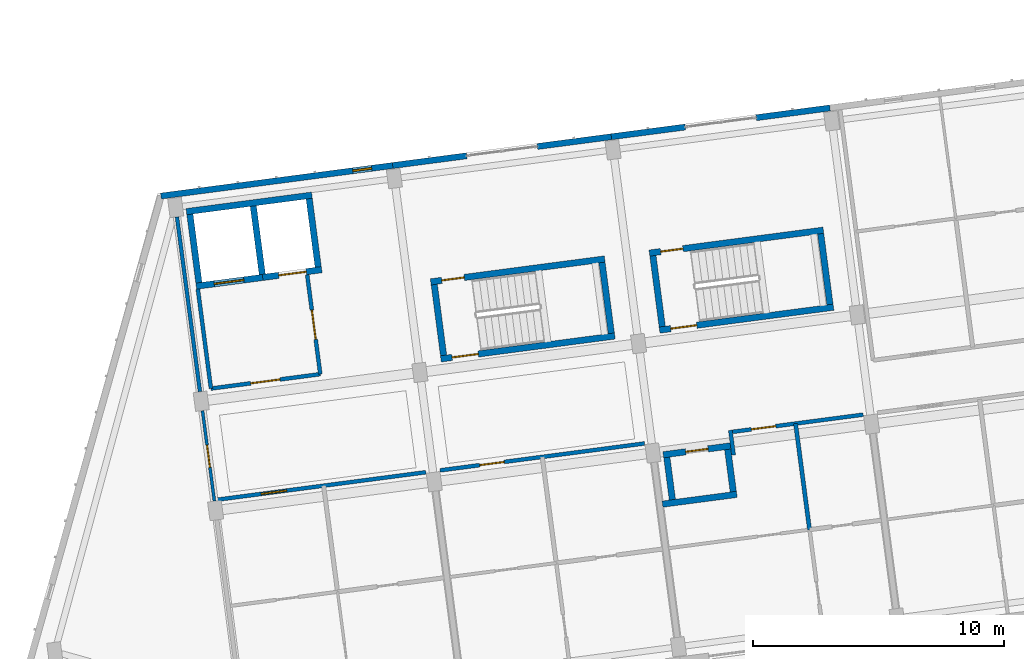
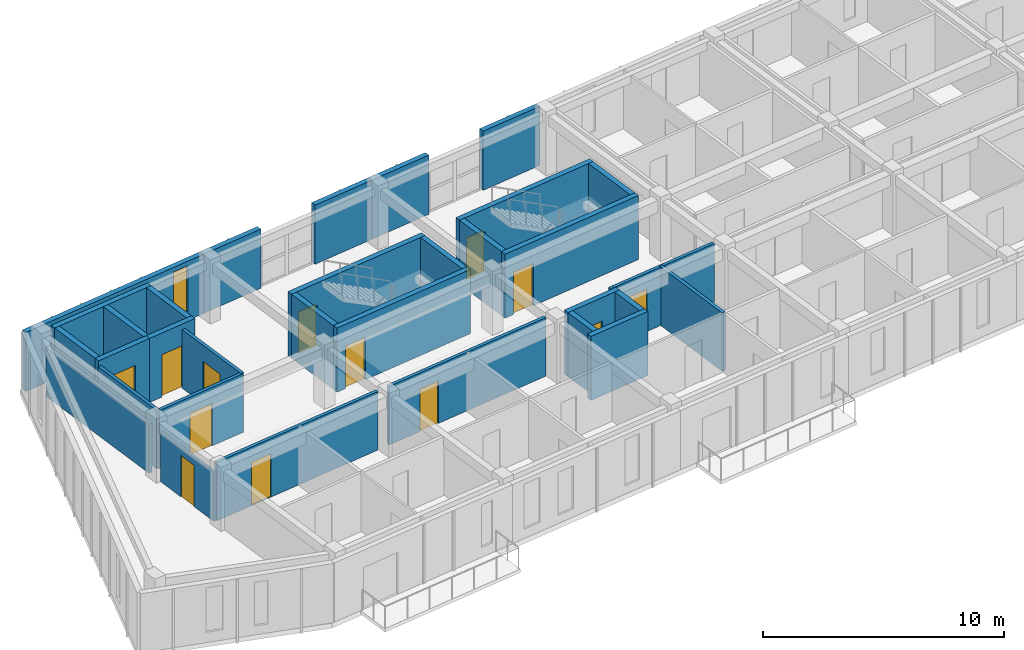
# One storey, part 80 of 127: 33 walls, 13 doors, 1 window, 14 openings.
"""IFC4 building model written with IfcOpenShell, lengths in metres."""

from ifc_helpers import new_model, si_unit, direction, frame, frame_2d, origin, place, context, subcontext, project, spatial, rectangle, extrude, material, layer, layer_set, type_object, element, fill, save


model = new_model("IFC4")

# Units and contexts
model_context = context("Model", 3, precision=1e-05, world=origin(), true_north=direction((0.0, 1.0)))
body_context = subcontext(model_context, "Body", "Model", "MODEL_VIEW")
ifc_project = project(units=[si_unit("LENGTHUNIT", "METRE"), si_unit("AREAUNIT", "SQUARE_METRE"), si_unit("VOLUMEUNIT", "CUBIC_METRE"), si_unit("PLANEANGLEUNIT", "RADIAN"), si_unit("MASSUNIT", "GRAM", prefix="KILO")], contexts=[model_context])

# Site, building, storey
site_placement = place(None, origin())
site = spatial("IfcSite", under=ifc_project, at=site_placement, CompositionType="ELEMENT")
building_placement = place(site_placement, origin())
building = spatial("IfcBuilding", under=site, at=building_placement, Name="Kestramere Prow Commons", CompositionType="ELEMENT")
storey_placement = place(building_placement, frame((0.0, 0.0, 8.39990234375)))
storey = spatial("IfcBuildingStorey", under=building, at=storey_placement, Name="L02", CompositionType="ELEMENT", Elevation=8.39990234375)

# Wall, opening, window
ifc_material_1 = material(Name="Fluoropolymer Standing-Seam Zinc-Aluminium Cladding", Category="aluminium")
ifc_layer_1 = layer(ifc_material_1, 0.239990234375)
ifc_layer_set_1 = layer_set([ifc_layer_1], Name="Fluoropolymer Standing-Seam Zinc-Aluminium Cladding")
wall_type_1 = type_object("IfcWallType", Name="EW-SEAM-240", PredefinedType="SOLIDWALL", material=ifc_layer_set_1)
wall_1_placement = place(storey_placement, frame((8.00048828125, 92.28076171875, 0.0), z_axis=(0.0, 0.0, 1.0), x_axis=(0.991442885224, 0.130541201693, 0.0)))
wall_1 = element("IfcWall", 1, at=wall_1_placement, inside=storey, type_object=wall_type_1, Name="Block A L02 North Standing-Seam Wall 1", PredefinedType="SOLIDWALL", context=body_context, shape_type="SweptSolid", body=[
    extrude(rectangle(XDim=9.324951171875, YDim=0.239990234375, at=frame_2d((4.66259765625, 0.0))), origin(), (0.0, 0.0, 1.0), 3.0),
])
opening_1_placement = place(wall_1_placement, frame((7.72509765625, 0.0, 0.449951171875)))
opening_1 = element("IfcOpeningElement", 2, at=opening_1_placement, cuts=wall_1, Name="Opening WN-19", PredefinedType="OPENING", context=body_context, shape_type="SweptSolid", body=[
    extrude(rectangle(XDim=0.75, YDim=2.320068359375, at=frame_2d((0.375, 1.16015625))), frame((0.0, 0.135009765625, 0.0), z_axis=(0.0, -1.0, 0.0), x_axis=(1.0, 0.0, 0.0)), (0.0, 0.0, 1.0), 0.27001953125),
])
ifc_material_2 = material(Name="Low-E Laminated Double Glazing", Category="glass")
window_type = type_object("IfcWindowType", Name="WN-CLER-1800", PartitioningType="SINGLE_PANEL", PredefinedType="WINDOW", material=ifc_material_2)
window_placement = place(opening_1_placement, origin())
window = element("IfcWindow", 3, at=window_placement, inside=storey, type_object=window_type, Name="Block A L02 Core Lobby Slot Window", OverallHeight=2.320068359375, OverallWidth=0.75, PartitioningType="SINGLE_PANEL", PredefinedType="WINDOW", context=body_context, shape_type="SweptSolid", body=[
    extrude(rectangle(XDim=0.75, YDim=2.320068359375, at=frame_2d((0.375, 1.16015625))), frame((0.0, 0.030029296875, 0.0), z_axis=(0.0, -1.0, 0.0), x_axis=(1.0, 0.0, 0.0)), (0.0, 0.0, 1.0), 0.06005859375),
])
fill(opening_1, window)

# Walls
for number, where, z_axis, x_axis, name in (
    (4, (17.24560546875, 93.498046875, 0.0), (0.0, 0.0, 1.0), (0.991451502252, 0.130475739826, 0.0), "Block A L02 North Standing-Seam Pier 2L"),
    (5, (23.020751953125, 94.25830078125, 0.0), (0.0, 0.0, 1.0), (0.991440883744, 0.130556401758, 0.0), "Block A L02 North Standing-Seam Pier 2R"),
):
    element("IfcWall", number, at=place(storey_placement, frame(where, z_axis=z_axis, x_axis=x_axis)), inside=storey, type_object=wall_type_1, Name=name, PredefinedType="SOLIDWALL", context=body_context, shape_type="SweptSolid", body=[
        extrude(rectangle(XDim=2.97509765625, YDim=0.239990234375, at=frame_2d((1.487548828125, 0.0))), origin(), (0.0, 0.0, 1.0), 3.0),
    ])
for number, where, z_axis, x_axis, name in (
    (6, (25.970458984375, 94.646728515625, 0.0), (0.0, 0.0, 1.0), (0.991450105095, 0.130486356022, 0.0), "Block A L02 North Standing-Seam Pier 3L"),
    (7, (31.74560546875, 95.406982421875, 0.0), (0.0, 0.0, 1.0), (0.991439484875, 0.130567024289, 0.0), "Block A L02 North Standing-Seam Pier 3R"),
):
    element("IfcWall", number, at=place(storey_placement, frame(where, z_axis=z_axis, x_axis=x_axis)), inside=storey, type_object=wall_type_1, Name=name, PredefinedType="SOLIDWALL", context=body_context, shape_type="SweptSolid", body=[
        extrude(rectangle(XDim=2.974853515625, YDim=0.239990234375, at=frame_2d((1.4873046875, 0.0))), origin(), (0.0, 0.0, 1.0), 3.0),
    ])
ifc_material_3 = material(Name="Concrete C40/50", Category="concrete")
ifc_layer_2 = layer(ifc_material_3, 0.25)
ifc_layer_set_2 = layer_set([ifc_layer_2], Name="Concrete C40/50")
wall_type_2 = type_object("IfcWallType", Name="W-CORE-250", PredefinedType="SHEAR", material=ifc_layer_set_2)
wall_2_placement = place(storey_placement, frame((9.015380859375, 91.657958984375, 0.0), z_axis=(0.0, 0.0, 1.0), x_axis=(0.991444419808, 0.130529546201, 0.0)))
element("IfcWall", 8, at=wall_2_placement, inside=storey, type_object=wall_type_2, Name="Block A L02 Lift Core Back Wall", PredefinedType="SHEAR", context=body_context, shape_type="SweptSolid", body=[
    extrude(rectangle(XDim=5.050048828125, YDim=0.25, at=frame_2d((2.52490234375, 0.0))), origin(), (0.0, 0.0, 1.0), 3.25),
])

# Wall, opening, door
wall_3_placement = place(storey_placement, frame((9.406982421875, 88.68359375, 0.0), z_axis=(0.0, 0.0, 1.0), x_axis=(0.991434713833, 0.130603247307, 0.0)))
wall_3 = element("IfcWall", 9, at=wall_3_placement, inside=storey, type_object=wall_type_2, Name="Block A L02 Fire Lift Shaft Front Wall", PredefinedType="SHEAR", context=body_context, shape_type="SweptSolid", body=[
    extrude(rectangle(XDim=2.675048828125, YDim=0.25, at=frame_2d((1.33740234375, 0.0))), origin(), (0.0, 0.0, 1.0), 3.25),
])
opening_2_placement = place(wall_3_placement, frame((0.719970703125, 0.0, 0.0)))
opening_2 = element("IfcOpeningElement", 10, at=opening_2_placement, cuts=wall_3, Name="Opening LD-02", PredefinedType="OPENING", context=body_context, shape_type="SweptSolid", body=[
    extrude(rectangle(XDim=1.199951171875, YDim=2.199951171875, at=frame_2d((0.60009765625, 1.10009765625))), frame((0.0, 0.139892578125, 0.0), z_axis=(0.0, -1.0, 0.0), x_axis=(1.0, 0.0, 0.0)), (0.0, 0.0, 1.0), 0.280029296875),
])
ifc_material_4 = material(Name="Brushed Stainless Steel 316", Category="steel")
door_type_1 = type_object("IfcDoorType", Name="LD-02", OperationType="DOUBLE_DOOR_SLIDING", PredefinedType="DOOR", material=ifc_material_4)
door_1_placement = place(opening_2_placement, origin())
door_1 = element("IfcDoor", 11, at=door_1_placement, inside=storey, type_object=door_type_1, Name="FL-A1 L02 Lift Landing Door", OperationType="DOUBLE_DOOR_SLIDING", OverallHeight=2.199951171875, OverallWidth=1.199951171875, PredefinedType="DOOR", context=body_context, shape_type="SweptSolid", body=[
    extrude(rectangle(XDim=1.199951171875, YDim=2.199951171875, at=frame_2d((0.60009765625, 1.10009765625))), frame((0.0, 0.02490234375, 0.0), z_axis=(0.0, -1.0, 0.0), x_axis=(1.0, 0.0, 0.0)), (0.0, 0.0, 1.0), 0.050048828125),
])
fill(opening_2, door_1)

wall_4_placement = place(storey_placement, frame((12.05908203125, 89.032958984375, 0.0), z_axis=(0.0, 0.0, 1.0), x_axis=(0.99145534515, 0.130446535303, 0.0)))
wall_4 = element("IfcWall", 12, at=wall_4_placement, inside=storey, type_object=wall_type_2, Name="Block A L02 Passenger Lift Shaft Front Wall", PredefinedType="SHEAR", context=body_context, shape_type="SweptSolid", body=[
    extrude(rectangle(XDim=2.375, YDim=0.25, at=frame_2d((1.1875, 0.0))), origin(), (0.0, 0.0, 1.0), 3.25),
])
opening_3_placement = place(wall_4_placement, frame((0.64990234375, 0.0, 0.0)))
opening_3 = element("IfcOpeningElement", 13, at=opening_3_placement, cuts=wall_4, Name="Opening LD-01", PredefinedType="OPENING", context=body_context, shape_type="SweptSolid", body=[
    extrude(rectangle(XDim=1.10009765625, YDim=2.14990234375, at=frame_2d((0.550048828125, 1.074951171875))), frame((0.0, 0.139892578125, 0.0), z_axis=(0.0, -1.0, 0.0), x_axis=(1.0, 0.0, 0.0)), (0.0, 0.0, 1.0), 0.280029296875),
])
ifc_material_5 = material(Name="Brushed Stainless Steel 304", Category="steel")
door_type_2 = type_object("IfcDoorType", Name="LD-01", OperationType="DOUBLE_DOOR_SLIDING", PredefinedType="DOOR", material=ifc_material_5)
door_2_placement = place(opening_3_placement, origin())
door_2 = element("IfcDoor", 14, at=door_2_placement, inside=storey, type_object=door_type_2, Name="PL-A2 L02 Lift Landing Door", OperationType="DOUBLE_DOOR_SLIDING", OverallHeight=2.14990234375, OverallWidth=1.10009765625, PredefinedType="DOOR", context=body_context, shape_type="SweptSolid", body=[
    extrude(rectangle(XDim=1.10009765625, YDim=2.14990234375, at=frame_2d((0.550048828125, 1.074951171875))), frame((0.0, 0.02490234375, 0.0), z_axis=(0.0, -1.0, 0.0), x_axis=(1.0, 0.0, 0.0)), (0.0, 0.0, 1.0), 0.050048828125),
])
fill(opening_3, door_2)

# Walls
for number, where, z_axis, x_axis, name in (
    (15, (9.5146484375, 88.823974609375, 0.0), (0.0, 0.0, 1.0), (-0.130500441374, 0.991448251197, 0.0), "Block A L02 Lift Core Side Wall L"),
    (16, (12.042724609375, 89.15673828125, 0.0), (0.0, 0.0, 1.0), (-0.130500441374, 0.991448251197, 0.0), "Block A L02 Lift Core Side Wall M"),
    (17, (14.2734375, 89.450439453125, 0.0), (0.0, 0.0, 1.0), (-0.130500441374, 0.991448251197, 0.0), "Block A L02 Lift Core Side Wall R"),
):
    element("IfcWall", number, at=place(storey_placement, frame(where, z_axis=z_axis, x_axis=x_axis)), inside=storey, type_object=wall_type_2, Name=name, PredefinedType="SHEAR", context=body_context, shape_type="SweptSolid", body=[
        extrude(rectangle(XDim=2.75, YDim=0.25, at=frame_2d((1.375, 0.0))), origin(), (0.0, 0.0, 1.0), 3.25),
    ])

# Wall, opening, door
wall_5_placement = place(storey_placement, frame((18.764404296875, 88.856689453125, 0.0), z_axis=(0.0, 0.0, 1.0), x_axis=(0.991447052715, 0.13050954625, 0.0)))
wall_5 = element("IfcWall", 18, at=wall_5_placement, inside=storey, type_object=wall_type_2, Name="ST-A1 L02 North Shaft Wall", PredefinedType="SHEAR", context=body_context, shape_type="SweptSolid", body=[
    extrude(rectangle(XDim=7.0, YDim=0.25, at=frame_2d((3.5, 0.0))), origin(), (0.0, 0.0, 1.0), 3.25),
])
opening_4_placement = place(wall_5_placement, frame((0.449951171875, 0.0, 0.0)))
opening_4 = element("IfcOpeningElement", 19, at=opening_4_placement, cuts=wall_5, Name="Opening ID-08", PredefinedType="OPENING", context=body_context, shape_type="SweptSolid", body=[
    extrude(rectangle(XDim=0.89990234375, YDim=2.10009765625, at=frame_2d((0.449951171875, 1.050048828125))), frame((0.0, 0.139892578125, 0.0), z_axis=(0.0, -1.0, 0.0), x_axis=(1.0, 0.0, 0.0)), (0.0, 0.0, 1.0), 0.280029296875),
])
ifc_material_6 = material(Name="Engineered Timber Flush Door", Category="wood")
door_type_3 = type_object("IfcDoorType", Name="D-RM-01", OperationType="NOTDEFINED", PredefinedType="DOOR", material=ifc_material_6)
door_3_placement = place(opening_4_placement, origin())
door_3 = element("IfcDoor", 20, at=door_3_placement, inside=storey, type_object=door_type_3, Name="ST-A1 L02 North Room Door", OperationType="SINGLE_SWING_RIGHT", OverallHeight=2.10009765625, OverallWidth=0.89990234375, PredefinedType="DOOR", context=body_context, shape_type="SweptSolid", body=[
    extrude(rectangle(XDim=0.89990234375, YDim=2.10009765625, at=frame_2d((0.449951171875, 1.050048828125))), frame((0.0, 0.02490234375, 0.0), z_axis=(0.0, -1.0, 0.0), x_axis=(1.0, 0.0, 0.0)), (0.0, 0.0, 1.0), 0.050048828125),
])
fill(opening_4, door_3)

wall_6_placement = place(storey_placement, frame((19.169189453125, 85.783203125, 0.0), z_axis=(0.0, 0.0, 1.0), x_axis=(0.991446458634, 0.130514059249, 0.0)))
wall_6 = element("IfcWall", 21, at=wall_6_placement, inside=storey, type_object=wall_type_2, Name="ST-A1 L02 Corridor Shaft Wall", PredefinedType="SHEAR", context=body_context, shape_type="SweptSolid", body=[
    extrude(rectangle(XDim=6.999755859375, YDim=0.25, at=frame_2d((3.5, 0.0))), origin(), (0.0, 0.0, 1.0), 3.25),
])
opening_5_placement = place(wall_6_placement, frame((0.449951171875, 0.0, 0.0)))
opening_5 = element("IfcOpeningElement", 22, at=opening_5_placement, cuts=wall_6, Name="Opening ID-01", PredefinedType="OPENING", context=body_context, shape_type="SweptSolid", body=[
    extrude(rectangle(XDim=1.050048828125, YDim=2.14990234375, at=frame_2d((0.52490234375, 1.074951171875))), frame((0.0, 0.139892578125, 0.0), z_axis=(0.0, -1.0, 0.0), x_axis=(1.0, 0.0, 0.0)), (0.0, 0.0, 1.0), 0.280029296875),
])
ifc_material_7 = material(Name="Fire-Rated Timber and Steel Frame", Category="steel")
door_type_4 = type_object("IfcDoorType", Name="FD-ST-01", OperationType="NOTDEFINED", PredefinedType="DOOR", material=ifc_material_7)
door_4_placement = place(opening_5_placement, origin())
door_4 = element("IfcDoor", 23, at=door_4_placement, inside=storey, type_object=door_type_4, Name="ST-A1 L02 Protected Stair Door", OperationType="SINGLE_SWING_LEFT", OverallHeight=2.14990234375, OverallWidth=1.050048828125, PredefinedType="DOOR", context=body_context, shape_type="SweptSolid", body=[
    extrude(rectangle(XDim=1.050048828125, YDim=2.14990234375, at=frame_2d((0.52490234375, 1.074951171875))), frame((0.0, 0.02490234375, 0.0), z_axis=(0.0, -1.0, 0.0), x_axis=(1.0, 0.0, 0.0)), (0.0, 0.0, 1.0), 0.050048828125),
])
fill(opening_5, door_4)

# Walls
for number, where, z_axis, x_axis, name in (
    (24, (19.27685546875, 85.92333984375, 0.0), (0.0, 0.0, 1.0), (-0.130547578832, 0.991442045538, 0.0), "ST-A1 L02 Near Shaft Wall"),
    (25, (25.968994140625, 86.804443359375, 0.0), (0.0, 0.0, 1.0), (-0.130547578832, 0.991442045538, 0.0), "ST-A1 L02 Far Shaft Wall"),
):
    element("IfcWall", number, at=place(storey_placement, frame(where, z_axis=z_axis, x_axis=x_axis)), inside=storey, type_object=wall_type_2, Name=name, PredefinedType="SHEAR", context=body_context, shape_type="SweptSolid", body=[
        extrude(rectangle(XDim=2.85009765625, YDim=0.25, at=frame_2d((1.425048828125, 0.0))), origin(), (0.0, 0.0, 1.0), 3.25),
    ])

# Wall, opening, door
wall_7_placement = place(storey_placement, frame((27.4892578125, 90.005126953125, 0.0), z_axis=(0.0, 0.0, 1.0), x_axis=(0.991441944909, 0.130548343059, 0.0)))
wall_7 = element("IfcWall", 26, at=wall_7_placement, inside=storey, type_object=wall_type_2, Name="ST-A2 L02 North Shaft Wall", PredefinedType="SHEAR", context=body_context, shape_type="SweptSolid", body=[
    extrude(rectangle(XDim=6.999755859375, YDim=0.25, at=frame_2d((3.5, 0.0))), origin(), (0.0, 0.0, 1.0), 3.25),
])
opening_6_placement = place(wall_7_placement, frame((0.449951171875, 0.0, 0.0)))
opening_6 = element("IfcOpeningElement", 27, at=opening_6_placement, cuts=wall_7, Name="Opening ID-08", PredefinedType="OPENING", context=body_context, shape_type="SweptSolid", body=[
    extrude(rectangle(XDim=0.89990234375, YDim=2.10009765625, at=frame_2d((0.449951171875, 1.050048828125))), frame((0.0, 0.139892578125, 0.0), z_axis=(0.0, -1.0, 0.0), x_axis=(1.0, 0.0, 0.0)), (0.0, 0.0, 1.0), 0.280029296875),
])
door_5_placement = place(opening_6_placement, origin())
door_5 = element("IfcDoor", 28, at=door_5_placement, inside=storey, type_object=door_type_3, Name="ST-A2 L02 North Room Door", OperationType="SINGLE_SWING_RIGHT", OverallHeight=2.10009765625, OverallWidth=0.89990234375, PredefinedType="DOOR", context=body_context, shape_type="SweptSolid", body=[
    extrude(rectangle(XDim=0.89990234375, YDim=2.10009765625, at=frame_2d((0.449951171875, 1.050048828125))), frame((0.0, 0.02490234375, 0.0), z_axis=(0.0, -1.0, 0.0), x_axis=(1.0, 0.0, 0.0)), (0.0, 0.0, 1.0), 0.050048828125),
])
fill(opening_6, door_5)

wall_8_placement = place(storey_placement, frame((27.893798828125, 86.931640625, 0.0), z_axis=(0.0, 0.0, 1.0), x_axis=(0.991442539299, 0.130543828916, 0.0)))
wall_8 = element("IfcWall", 29, at=wall_8_placement, inside=storey, type_object=wall_type_2, Name="ST-A2 L02 Corridor Shaft Wall", PredefinedType="SHEAR", context=body_context, shape_type="SweptSolid", body=[
    extrude(rectangle(XDim=7.0, YDim=0.25, at=frame_2d((3.5, 0.0))), origin(), (0.0, 0.0, 1.0), 3.25),
])
opening_7_placement = place(wall_8_placement, frame((0.449951171875, 0.0, 0.0)))
opening_7 = element("IfcOpeningElement", 30, at=opening_7_placement, cuts=wall_8, Name="Opening ID-01", PredefinedType="OPENING", context=body_context, shape_type="SweptSolid", body=[
    extrude(rectangle(XDim=1.050048828125, YDim=2.14990234375, at=frame_2d((0.52490234375, 1.074951171875))), frame((0.0, 0.139892578125, 0.0), z_axis=(0.0, -1.0, 0.0), x_axis=(1.0, 0.0, 0.0)), (0.0, 0.0, 1.0), 0.280029296875),
])
door_6_placement = place(opening_7_placement, origin())
door_6 = element("IfcDoor", 31, at=door_6_placement, inside=storey, type_object=door_type_4, Name="ST-A2 L02 Protected Stair Door", OperationType="SINGLE_SWING_LEFT", OverallHeight=2.14990234375, OverallWidth=1.050048828125, PredefinedType="DOOR", context=body_context, shape_type="SweptSolid", body=[
    extrude(rectangle(XDim=1.050048828125, YDim=2.14990234375, at=frame_2d((0.52490234375, 1.074951171875))), frame((0.0, 0.02490234375, 0.0), z_axis=(0.0, -1.0, 0.0), x_axis=(1.0, 0.0, 0.0)), (0.0, 0.0, 1.0), 0.050048828125),
])
fill(opening_7, door_6)

# Walls
wall_9_placement = place(storey_placement, frame((28.00146484375, 87.072021484375, 0.0), z_axis=(0.0, 0.0, 1.0), x_axis=(-0.130547578832, 0.991442045538, 0.0)))
element("IfcWall", 32, at=wall_9_placement, inside=storey, type_object=wall_type_2, Name="ST-A2 L02 Near Shaft Wall", PredefinedType="SHEAR", context=body_context, shape_type="SweptSolid", body=[
    extrude(rectangle(XDim=2.85009765625, YDim=0.25, at=frame_2d((1.425048828125, 0.0))), origin(), (0.0, 0.0, 1.0), 3.25),
])
wall_10_placement = place(storey_placement, frame((34.693603515625, 87.953125, 0.0), z_axis=(0.0, 0.0, 1.0), x_axis=(-0.130474457355, 0.991451671025, 0.0)))
element("IfcWall", 33, at=wall_10_placement, inside=storey, type_object=wall_type_2, Name="ST-A2 L02 Far Shaft Wall", PredefinedType="SHEAR", context=body_context, shape_type="SweptSolid", body=[
    extrude(rectangle(XDim=2.849853515625, YDim=0.25, at=frame_2d((1.4248046875, 0.0))), origin(), (0.0, 0.0, 1.0), 3.25),
])

# Wall, opening, door
ifc_material_8 = material(Name="Fire-Rated Calcium Silicate Wall")
ifc_layer_3 = layer(ifc_material_8, 0.155029296875)
ifc_layer_set_3 = layer_set([ifc_layer_3], Name="Fire-Rated Calcium Silicate Wall")
wall_type_3 = type_object("IfcWallType", Name="W-FIRE-150", PredefinedType="PARTITIONING", material=ifc_layer_set_3)
wall_11_placement = place(storey_placement, frame((9.994873046875, 84.6005859375, 0.0), z_axis=(0.0, 0.0, 1.0), x_axis=(0.991448440179, 0.130499005613, 0.0)))
wall_11 = element("IfcWall", 34, at=wall_11_placement, inside=storey, type_object=wall_type_3, Name="Interior Partition PW-A-L02-FFL-S", PredefinedType="PARTITIONING", context=body_context, shape_type="SweptSolid", body=[
    extrude(rectangle(XDim=4.400146484375, YDim=0.155029296875, at=frame_2d((2.2001953125, 0.0))), origin(), (0.0, 0.0, 1.0), 2.97021484375),
])
opening_8_placement = place(wall_11_placement, frame((1.60009765625, 0.0, 0.0)))
opening_8 = element("IfcOpeningElement", 35, at=opening_8_placement, cuts=wall_11, Name="Opening ID-03", PredefinedType="OPENING", context=body_context, shape_type="SweptSolid", body=[
    extrude(rectangle(XDim=1.179931640625, YDim=2.14990234375, at=frame_2d((0.58984375, 1.074951171875))), frame((0.0, 0.092529296875, 0.0), z_axis=(0.0, -1.0, 0.0), x_axis=(1.0, 0.0, 0.0)), (0.0, 0.0, 1.0), 0.18505859375),
])
ifc_material_9 = material(Name="Fire-Rated Glazed Smoke-Stop Door")
door_type_5 = type_object("IfcDoorType", Name="FD-LB-01", OperationType="NOTDEFINED", PredefinedType="DOOR", material=ifc_material_9)
door_7_placement = place(opening_8_placement, origin())
door_7 = element("IfcDoor", 36, at=door_7_placement, inside=storey, type_object=door_type_5, Name="Interior Door DR-A-L02-FFL", OperationType="SINGLE_SWING_LEFT", OverallHeight=2.14990234375, OverallWidth=1.179931640625, PredefinedType="DOOR", context=body_context, shape_type="SweptSolid", body=[
    extrude(rectangle(XDim=1.179931640625, YDim=2.14990234375, at=frame_2d((0.58984375, 1.074951171875))), frame((0.0, 0.02490234375, 0.0), z_axis=(0.0, -1.0, 0.0), x_axis=(1.0, 0.0, 0.0)), (0.0, 0.0, 1.0), 0.050048828125),
])
fill(opening_8, door_7)

# Wall
wall_12_placement = place(storey_placement, frame((9.994873046875, 84.6005859375, 0.0), z_axis=(0.0, 0.0, 1.0), x_axis=(-0.130492404742, 0.991449308994, 0.0)))
element("IfcWall", 37, at=wall_12_placement, inside=storey, type_object=wall_type_3, Name="Interior Partition PW-A-L02-FFL-W", PredefinedType="PARTITIONING", context=body_context, shape_type="SweptSolid", body=[
    extrude(rectangle(XDim=4.0, YDim=0.155029296875, at=frame_2d((2.0, 0.0))), origin(), (0.0, 0.0, 1.0), 2.97021484375),
])

# Wall, opening, door
wall_13_placement = place(storey_placement, frame((14.357421875, 85.1748046875, 0.0), z_axis=(0.0, 0.0, 1.0), x_axis=(-0.130552399509, 0.991441410766, 0.0)))
wall_13 = element("IfcWall", 38, at=wall_13_placement, inside=storey, type_object=wall_type_3, Name="Interior Partition PW-A-L02-FFL-E", PredefinedType="PARTITIONING", context=body_context, shape_type="SweptSolid", body=[
    extrude(rectangle(XDim=4.0, YDim=0.155029296875, at=frame_2d((2.0, 0.0))), origin(), (0.0, 0.0, 1.0), 2.97021484375),
])
opening_9_placement = place(wall_13_placement, frame((1.39990234375, 0.0, 0.0)))
opening_9 = element("IfcOpeningElement", 39, at=opening_9_placement, cuts=wall_13, Name="Opening ID-03", PredefinedType="OPENING", context=body_context, shape_type="SweptSolid", body=[
    extrude(rectangle(XDim=1.179931640625, YDim=2.14990234375, at=frame_2d((0.58984375, 1.074951171875))), frame((0.0, 0.092529296875, 0.0), z_axis=(0.0, -1.0, 0.0), x_axis=(1.0, 0.0, 0.0)), (0.0, 0.0, 1.0), 0.18505859375),
])
door_8_placement = place(opening_9_placement, origin())
door_8 = element("IfcDoor", 40, at=door_8_placement, inside=storey, type_object=door_type_5, Name="Interior Door DR-A-L02-FFL-PL", OperationType="SINGLE_SWING_LEFT", OverallHeight=2.14990234375, OverallWidth=1.179931640625, PredefinedType="DOOR", context=body_context, shape_type="SweptSolid", body=[
    extrude(rectangle(XDim=1.179931640625, YDim=2.14990234375, at=frame_2d((0.58984375, 1.074951171875))), frame((0.0, 0.02490234375, 0.0), z_axis=(0.0, -1.0, 0.0), x_axis=(1.0, 0.0, 0.0)), (0.0, 0.0, 1.0), 0.050048828125),
])
fill(opening_9, door_8)

wall_14_placement = place(storey_placement, frame((10.196533203125, 80.158935546875, 0.0), z_axis=(0.0, 0.0, 1.0), x_axis=(0.991448685923, 0.130497138599, 0.0)))
wall_14 = element("IfcWall", 41, at=wall_14_placement, inside=storey, type_object=wall_type_3, Name="Interior Partition PW-A-L02-CS-0", PredefinedType="PARTITIONING", context=body_context, shape_type="SweptSolid", body=[
    extrude(rectangle(XDim=8.445068359375, YDim=0.155029296875, at=frame_2d((4.22265625, 0.0))), origin(), (0.0, 0.0, 1.0), 2.97021484375),
])
opening_10_placement = place(wall_14_placement, frame((1.820068359375, 0.0, 0.0)))
opening_10 = element("IfcOpeningElement", 42, at=opening_10_placement, cuts=wall_14, Name="Opening ID-05", PredefinedType="OPENING", context=body_context, shape_type="SweptSolid", body=[
    extrude(rectangle(XDim=1.02001953125, YDim=2.199951171875, at=frame_2d((0.510009765625, 1.10009765625))), frame((0.0, 0.092529296875, 0.0), z_axis=(0.0, -1.0, 0.0), x_axis=(1.0, 0.0, 0.0)), (0.0, 0.0, 1.0), 0.18505859375),
])
ifc_material_10 = material(Name="Hardwood Fire-Rated Flat Entrance Door", Category="wood")
door_type_6 = type_object("IfcDoorType", Name="FD-ENT-02", OperationType="NOTDEFINED", PredefinedType="DOOR", material=ifc_material_10)
door_9_placement = place(opening_10_placement, origin())
door_9 = element("IfcDoor", 43, at=door_9_placement, inside=storey, type_object=door_type_6, Name="Interior Door DR-A-L02-ENT-S0", OperationType="SINGLE_SWING_LEFT", OverallHeight=2.199951171875, OverallWidth=1.02001953125, PredefinedType="DOOR", context=body_context, shape_type="SweptSolid", body=[
    extrude(rectangle(XDim=1.02001953125, YDim=2.199951171875, at=frame_2d((0.510009765625, 1.10009765625))), frame((0.0, 0.02490234375, 0.0), z_axis=(0.0, -1.0, 0.0), x_axis=(1.0, 0.0, 0.0)), (0.0, 0.0, 1.0), 0.050048828125),
])
fill(opening_10, door_9)

wall_15_placement = place(storey_placement, frame((19.13427734375, 81.33544921875, 0.0), z_axis=(0.0, 0.0, 1.0), x_axis=(0.991445206002, 0.130523574484, 0.0)))
wall_15 = element("IfcWall", 44, at=wall_15_placement, inside=storey, type_object=wall_type_3, Name="Interior Partition PW-A-L02-CS-1", PredefinedType="PARTITIONING", context=body_context, shape_type="SweptSolid", body=[
    extrude(rectangle(XDim=8.22998046875, YDim=0.155029296875, at=frame_2d((4.114990234375, 0.0))), origin(), (0.0, 0.0, 1.0), 2.97021484375),
])
opening_11_placement = place(wall_15_placement, frame((1.60498046875, 0.0, 0.0)))
opening_11 = element("IfcOpeningElement", 45, at=opening_11_placement, cuts=wall_15, Name="Opening ID-04", PredefinedType="OPENING", context=body_context, shape_type="SweptSolid", body=[
    extrude(rectangle(XDim=0.97998046875, YDim=2.14990234375, at=frame_2d((0.489990234375, 1.074951171875))), frame((0.0, 0.092529296875, 0.0), z_axis=(0.0, -1.0, 0.0), x_axis=(1.0, 0.0, 0.0)), (0.0, 0.0, 1.0), 0.18505859375),
])
door_type_7 = type_object("IfcDoorType", Name="FD-ENT-01", OperationType="NOTDEFINED", PredefinedType="DOOR", material=ifc_material_10)
door_10_placement = place(opening_11_placement, origin())
door_10 = element("IfcDoor", 46, at=door_10_placement, inside=storey, type_object=door_type_7, Name="Interior Door DR-A-L02-ENT-S1", OperationType="SINGLE_SWING_RIGHT", OverallHeight=2.14990234375, OverallWidth=0.97998046875, PredefinedType="DOOR", context=body_context, shape_type="SweptSolid", body=[
    extrude(rectangle(XDim=0.97998046875, YDim=2.14990234375, at=frame_2d((0.489990234375, 1.074951171875))), frame((0.0, 0.02490234375, 0.0), z_axis=(0.0, -1.0, 0.0), x_axis=(1.0, 0.0, 0.0)), (0.0, 0.0, 1.0), 0.050048828125),
])
fill(opening_11, door_10)

# Wall
wall_16_placement = place(storey_placement, frame((30.849365234375, 81.949951171875, 0.0), z_axis=(0.0, 0.0, 1.0), x_axis=(-0.13055608231, 0.99144092581, 0.0)))
element("IfcWall", 47, at=wall_16_placement, inside=storey, type_object=wall_type_3, Name="Interior Partition PW-A-L02-HS-CLOSER", PredefinedType="PARTITIONING", context=body_context, shape_type="SweptSolid", body=[
    extrude(rectangle(XDim=0.994873046875, YDim=0.155029296875, at=frame_2d((0.49755859375, 0.0))), origin(), (0.0, 0.0, 1.0), 2.97021484375),
])

# Wall, opening, door
wall_17_placement = place(storey_placement, frame((30.80859375, 82.87255859375, 0.0), z_axis=(0.0, 0.0, 1.0), x_axis=(0.991447652655, 0.130504988581, 0.0)))
wall_17 = element("IfcWall", 48, at=wall_17_placement, inside=storey, type_object=wall_type_3, Name="Interior Partition PW-A-L02-CS-2", PredefinedType="PARTITIONING", context=body_context, shape_type="SweptSolid", body=[
    extrude(rectangle(XDim=5.2548828125, YDim=0.155029296875, at=frame_2d((2.62744140625, 0.0))), origin(), (0.0, 0.0, 1.0), 2.97021484375),
])
opening_12_placement = place(wall_17_placement, frame((0.758056640625, 0.0, 0.0)))
opening_12 = element("IfcOpeningElement", 49, at=opening_12_placement, cuts=wall_17, Name="Opening ID-04", PredefinedType="OPENING", context=body_context, shape_type="SweptSolid", body=[
    extrude(rectangle(XDim=0.97998046875, YDim=2.14990234375, at=frame_2d((0.489990234375, 1.074951171875))), frame((0.0, 0.092529296875, 0.0), z_axis=(0.0, -1.0, 0.0), x_axis=(1.0, 0.0, 0.0)), (0.0, 0.0, 1.0), 0.18505859375),
])
door_11_placement = place(opening_12_placement, origin())
door_11 = element("IfcDoor", 50, at=door_11_placement, inside=storey, type_object=door_type_7, Name="Interior Door DR-A-L02-ENT-S2", OperationType="SINGLE_SWING_LEFT", OverallHeight=2.14990234375, OverallWidth=0.97998046875, PredefinedType="DOOR", context=body_context, shape_type="SweptSolid", body=[
    extrude(rectangle(XDim=0.97998046875, YDim=2.14990234375, at=frame_2d((0.489990234375, 1.074951171875))), frame((0.0, 0.02490234375, 0.0), z_axis=(0.0, -1.0, 0.0), x_axis=(1.0, 0.0, 0.0)), (0.0, 0.0, 1.0), 0.050048828125),
])
fill(opening_12, door_11)

# Wall
ifc_layer_4 = layer(ifc_material_3, 0.25)
ifc_layer_set_4 = layer_set([ifc_layer_4], Name="Concrete C40/50")
wall_type_4 = type_object("IfcWallType", Name="W-HS-250", PredefinedType="SHEAR", material=ifc_layer_set_4)
wall_18_placement = place(storey_placement, frame((28.01123046875, 79.987548828125, 0.0), z_axis=(0.0, 0.0, 1.0), x_axis=(0.991439837467, 0.130564346904, 0.0)))
element("IfcWall", 51, at=wall_18_placement, inside=storey, type_object=wall_type_4, Name="Block A L02 Household Shelter South Wall", PredefinedType="SHEAR", context=body_context, shape_type="SweptSolid", body=[
    extrude(rectangle(XDim=2.989990234375, YDim=0.25, at=frame_2d((1.4951171875, 0.0))), origin(), (0.0, 0.0, 1.0), 3.25),
])

# Wall, opening, door
wall_19_placement = place(storey_placement, frame((28.044189453125, 81.958740234375, 0.0), z_axis=(0.0, 0.0, 1.0), x_axis=(0.991439824936, 0.130564442062, 0.0)))
wall_19 = element("IfcWall", 52, at=wall_19_placement, inside=storey, type_object=wall_type_4, Name="Block A L02 Household Shelter North Wall", PredefinedType="SHEAR", context=body_context, shape_type="SweptSolid", body=[
    extrude(rectangle(XDim=2.7001953125, YDim=0.25, at=frame_2d((1.35009765625, 0.0))), origin(), (0.0, 0.0, 1.0), 3.25),
])
opening_13_placement = place(wall_19_placement, frame((0.89990234375, 0.0, 0.0)))
opening_13 = element("IfcOpeningElement", 53, at=opening_13_placement, cuts=wall_19, Name="Opening ID-06", PredefinedType="OPENING", context=body_context, shape_type="SweptSolid", body=[
    extrude(rectangle(XDim=0.89990234375, YDim=2.050048828125, at=frame_2d((0.449951171875, 1.02490234375))), frame((0.0, 0.139892578125, 0.0), z_axis=(0.0, -1.0, 0.0), x_axis=(1.0, 0.0, 0.0)), (0.0, 0.0, 1.0), 0.280029296875),
])
ifc_material_11 = material(Name="Galvanised Steel S275JR Household Shelter Door", Category="steel")
door_type_8 = type_object("IfcDoorType", Name="FD-HS-01", OperationType="NOTDEFINED", PredefinedType="DOOR", material=ifc_material_11)
door_12_placement = place(opening_13_placement, origin())
door_12 = element("IfcDoor", 54, at=door_12_placement, inside=storey, type_object=door_type_8, Name="Block A L02 Household Shelter Blast Door", OperationType="SINGLE_SWING_RIGHT", OverallHeight=2.050048828125, OverallWidth=0.89990234375, PredefinedType="DOOR", context=body_context, shape_type="SweptSolid", body=[
    extrude(rectangle(XDim=0.89990234375, YDim=2.050048828125, at=frame_2d((0.449951171875, 1.02490234375))), frame((0.0, 0.02490234375, 0.0), z_axis=(0.0, -1.0, 0.0), x_axis=(1.0, 0.0, 0.0)), (0.0, 0.0, 1.0), 0.050048828125),
])
fill(opening_13, door_12)

# Walls
wall_20_placement = place(storey_placement, frame((28.40625, 80.165771484375, 0.0), z_axis=(0.0, 0.0, 1.0), x_axis=(-0.130413643681, 0.991459672171, 0.0)))
element("IfcWall", 55, at=wall_20_placement, inside=storey, type_object=wall_type_4, Name="Block A L02 Household Shelter W Wall", PredefinedType="SHEAR", context=body_context, shape_type="SweptSolid", body=[
    extrude(rectangle(XDim=1.69970703125, YDim=0.25, at=frame_2d((0.849853515625, 0.0))), origin(), (0.0, 0.0, 1.0), 3.25),
])
wall_21_placement = place(storey_placement, frame((30.83544921875, 80.485595703125, 0.0), z_axis=(0.0, 0.0, 1.0), x_axis=(-0.1305548243, 0.991441091468, 0.0)))
element("IfcWall", 56, at=wall_21_placement, inside=storey, type_object=wall_type_4, Name="Block A L02 Household Shelter E Wall", PredefinedType="SHEAR", context=body_context, shape_type="SweptSolid", body=[
    extrude(rectangle(XDim=1.699951171875, YDim=0.25, at=frame_2d((0.85009765625, 0.0))), origin(), (0.0, 0.0, 1.0), 3.25),
])

# Wall, opening, door
ifc_material_12 = material(Name="Lightweight Blockwork and Plaster", Category="masonry")
ifc_layer_5 = layer(ifc_material_12, 0.1201171875)
ifc_layer_set_5 = layer_set([ifc_layer_5], Name="Lightweight Blockwork and Plaster")
wall_type_5 = type_object("IfcWallType", Name="W-PART-120", PredefinedType="PARTITIONING", material=ifc_layer_set_5)
wall_22_placement = place(storey_placement, frame((10.131591796875, 80.114990234375, 0.0), z_axis=(0.0, 0.0, 1.0), x_axis=(-0.130546722025, 0.991442158357, 0.0)))
wall_22 = element("IfcWall", 57, at=wall_22_placement, inside=storey, type_object=wall_type_5, Name="Interior Partition PW-A-L02-PROW-ACC", PredefinedType="PARTITIONING", context=body_context, shape_type="SweptSolid", body=[
    extrude(rectangle(XDim=3.6298828125, YDim=0.1201171875, at=frame_2d((1.81494140625, 0.0))), origin(), (0.0, 0.0, 1.0), 2.5),
])
opening_14_placement = place(wall_22_placement, frame((1.35009765625, 0.0, 0.0)))
opening_14 = element("IfcOpeningElement", 58, at=opening_14_placement, cuts=wall_22, Name="Opening ID-08", PredefinedType="OPENING", context=body_context, shape_type="SweptSolid", body=[
    extrude(rectangle(XDim=0.89990234375, YDim=2.10009765625, at=frame_2d((0.449951171875, 1.050048828125))), frame((0.0, 0.074951171875, 0.0), z_axis=(0.0, -1.0, 0.0), x_axis=(1.0, 0.0, 0.0)), (0.0, 0.0, 1.0), 0.150146484375),
])
door_13_placement = place(opening_14_placement, origin())
door_13 = element("IfcDoor", 59, at=door_13_placement, inside=storey, type_object=door_type_3, Name="Interior Door DR-A-L02-PROW", OperationType="SINGLE_SWING_LEFT", OverallHeight=2.10009765625, OverallWidth=0.89990234375, PredefinedType="DOOR", context=body_context, shape_type="SweptSolid", body=[
    extrude(rectangle(XDim=0.89990234375, YDim=2.10009765625, at=frame_2d((0.449951171875, 1.050048828125))), frame((0.0, 0.02490234375, 0.0), z_axis=(0.0, -1.0, 0.0), x_axis=(1.0, 0.0, 0.0)), (0.0, 0.0, 1.0), 0.050048828125),
])
fill(opening_14, door_13)

# Walls
ifc_material_13 = material(Name="Masonry Compartment Wall", Category="masonry")
ifc_layer_6 = layer(ifc_material_13, 0.14990234375)
ifc_layer_set_6 = layer_set([ifc_layer_6], Name="Masonry Compartment Wall")
wall_type_6 = type_object("IfcWallType", Name="W-PART-150", PredefinedType="PARTITIONING", material=ifc_layer_set_6)
wall_23_placement = place(storey_placement, frame((9.557373046875, 84.477294921875, 0.0), z_axis=(0.0, 0.0, 1.0), x_axis=(-0.130541650614, 0.991442826115, 0.0)))
element("IfcWall", 60, at=wall_23_placement, inside=storey, type_object=wall_type_6, Name="Interior Partition PW-A-L02-PRW-N", PredefinedType="PARTITIONING", context=body_context, shape_type="SweptSolid", body=[
    extrude(rectangle(XDim=7.030029296875, YDim=0.14990234375, at=frame_2d((3.51513671875, 0.0))), origin(), (0.0, 0.0, 1.0), 2.5),
])
ifc_material_14 = material(Name="Waterproof Sanitary Masonry Wall", Category="masonry")
ifc_layer_7 = layer(ifc_material_14, 0.1650390625)
ifc_layer_set_7 = layer_set([ifc_layer_7], Name="Waterproof Sanitary Masonry Wall")
wall_type_7 = type_object("IfcWallType", Name="W-PLUMB-150", PredefinedType="PLUMBINGWALL", material=ifc_layer_set_7)
wall_24_placement = place(storey_placement, frame((33.87939453125, 78.969970703125, 0.0), z_axis=(0.0, 0.0, 1.0), x_axis=(-0.13053438047, 0.991443783336, 0.0)))
element("IfcWall", 61, at=wall_24_placement, inside=storey, type_object=wall_type_7, Name="Interior Partition PW-A-L02-KB-S2", PredefinedType="PLUMBINGWALL", context=body_context, shape_type="SweptSolid", body=[
    extrude(rectangle(XDim=4.27001953125, YDim=0.1650390625, at=frame_2d((2.135009765625, 0.0))), origin(), (0.0, 0.0, 1.0), 2.97021484375),
])

save(model, "model.ifc")
